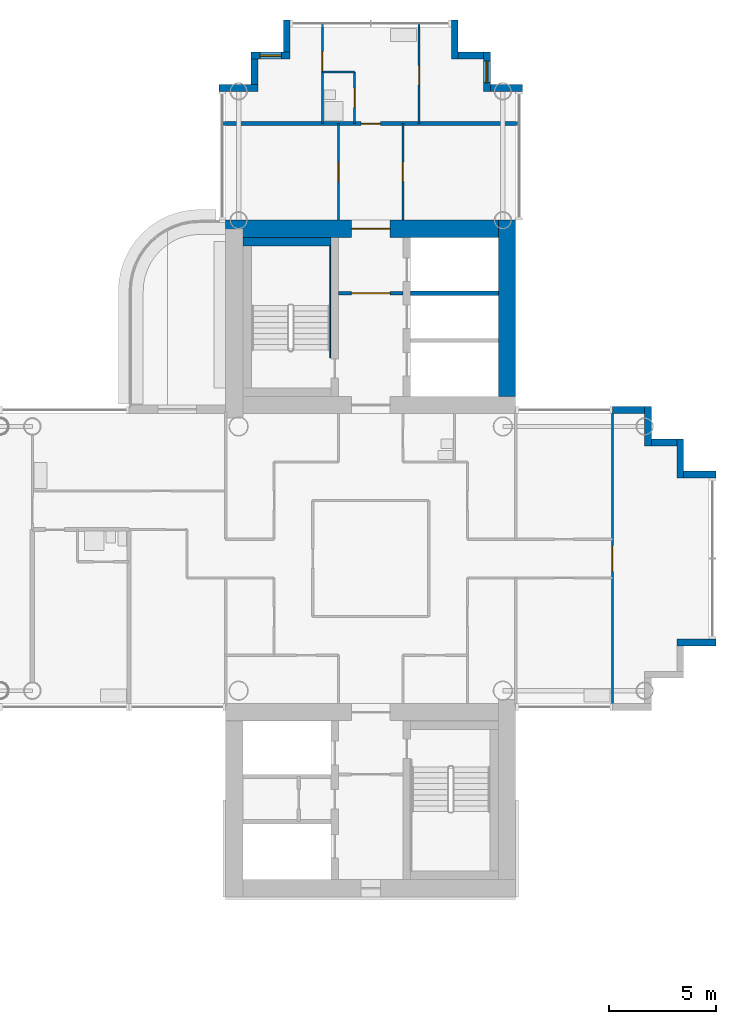
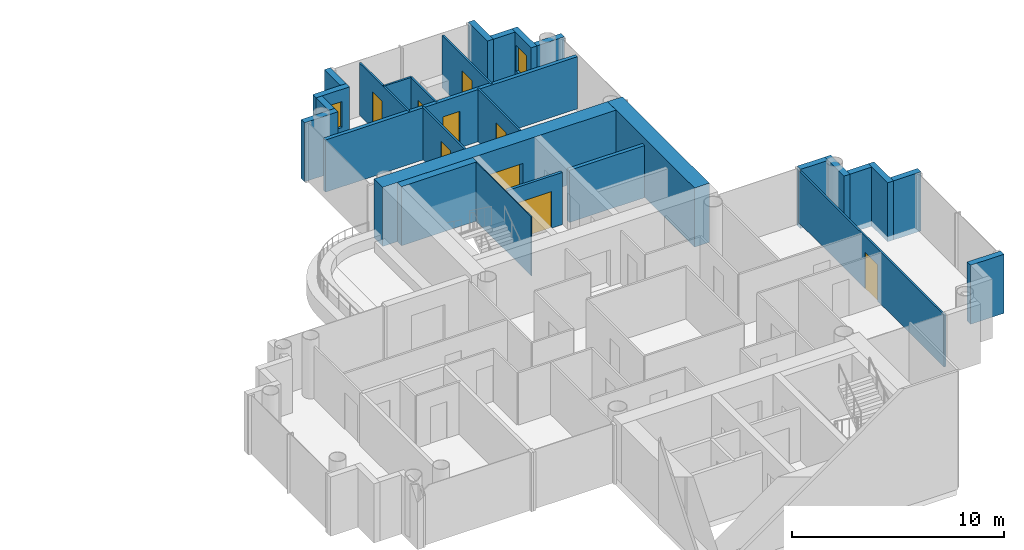
# One storey, part 12 of 19: 28 walls, 9 doors, 2 windows, 11 openings.
"""IFC4 building model written with IfcOpenShell, lengths in metres."""

from ifc_helpers import new_model, si_unit, direction, frame, frame_2d, origin, place, context, subcontext, project, spatial, rectangle, extrude, material, layer, layer_set, type_object, element, fill, save


model = new_model("IFC4")

# Units and contexts
model_context = context("Model", 3, precision=1e-05, world=origin(), true_north=direction((0.0, 1.0)))
body_context = subcontext(model_context, "Body", "Model", "MODEL_VIEW")
ifc_project = project(units=[si_unit("LENGTHUNIT", "METRE"), si_unit("AREAUNIT", "SQUARE_METRE"), si_unit("VOLUMEUNIT", "CUBIC_METRE"), si_unit("PLANEANGLEUNIT", "RADIAN"), si_unit("MASSUNIT", "GRAM", prefix="KILO")], contexts=[model_context])

# Site, building, storey
site_placement = place(None, origin())
site = spatial("IfcSite", under=ifc_project, at=site_placement, CompositionType="ELEMENT")
building_placement = place(site_placement, origin())
building = spatial("IfcBuilding", under=site, at=building_placement, Name="Ipe Terrace Towers", CompositionType="ELEMENT")
storey_placement = place(building_placement, frame((0.0, 0.0, 140.5)))
storey = spatial("IfcBuildingStorey", under=building, at=storey_placement, Name="L38", CompositionType="ELEMENT", Elevation=140.5)

# Walls
ifc_material_1 = material(Name="Concrete C40/50 with buff precast cladding", Category="concrete")
ifc_layer_1 = layer(ifc_material_1, 0.320068359375)
ifc_layer_set_1 = layer_set([ifc_layer_1], Name="BUFF CLADDING WALL 320")
wall_type_1 = type_object("IfcWallType", Name="BUFF CLADDING WALL 320", PredefinedType="STANDARD", material=ifc_layer_set_1)
wall_1_placement = place(storey_placement, frame((50.25, -3.909912109375, -0.300048828125), z_axis=(0.0, 0.0, 1.0), x_axis=(1.0, 0.0, 0.0)))
element("IfcWall", 1, at=wall_1_placement, inside=storey, type_object=wall_type_1, Name="T2-W-L38-07a wall", PredefinedType="STANDARD", context=body_context, shape_type="SweptSolid", body=[
    extrude(rectangle(XDim=1.820068359375, YDim=0.320068359375, at=frame_2d((0.91015625, 0.0))), origin(), (0.0, 0.0, 1.0), 3.400146484375),
])
wall_2_placement = place(storey_placement, frame((52.070068359375, 3.909912109375, -0.300048828125), z_axis=(0.0, 0.0, 1.0), x_axis=(-1.0, 0.0, 0.0)))
element("IfcWall", 2, at=wall_2_placement, inside=storey, type_object=wall_type_1, Name="T2-W-L38-09a wall", PredefinedType="STANDARD", context=body_context, shape_type="SweptSolid", body=[
    extrude(rectangle(XDim=1.5, YDim=0.320068359375, at=frame_2d((0.75, 0.0))), origin(), (0.0, 0.0, 1.0), 3.400146484375),
])
wall_3_placement = place(storey_placement, frame((50.409912109375, 3.75, -0.300048828125), z_axis=(0.0, 0.0, 1.0), x_axis=(0.0, 1.0, 0.0)))
element("IfcWall", 3, at=wall_3_placement, inside=storey, type_object=wall_type_1, Name="T2-W-L38-10a wall", PredefinedType="STANDARD", context=body_context, shape_type="SweptSolid", body=[
    extrude(rectangle(XDim=1.820068359375, YDim=0.320068359375, at=frame_2d((0.91015625, 0.0))), origin(), (0.0, 0.0, 1.0), 3.400146484375),
])
wall_4_placement = place(storey_placement, frame((50.25, 5.409912109375, -0.300048828125), z_axis=(0.0, 0.0, 1.0), x_axis=(-1.0, 0.0, 0.0)))
element("IfcWall", 4, at=wall_4_placement, inside=storey, type_object=wall_type_1, Name="T2-W-L38-11a wall", PredefinedType="STANDARD", context=body_context, shape_type="SweptSolid", body=[
    extrude(rectangle(XDim=1.179931640625, YDim=0.320068359375, at=frame_2d((0.58984375, 0.0))), origin(), (0.0, 0.0, 1.0), 3.400146484375),
])
wall_5_placement = place(storey_placement, frame((48.909912109375, 5.25, -0.300048828125), z_axis=(0.0, 0.0, 1.0), x_axis=(0.0, 1.0, 0.0)))
element("IfcWall", 5, at=wall_5_placement, inside=storey, type_object=wall_type_1, Name="T2-W-L38-12a wall", PredefinedType="STANDARD", context=body_context, shape_type="SweptSolid", body=[
    extrude(rectangle(XDim=1.820068359375, YDim=0.320068359375, at=frame_2d((0.91015625, 0.0))), origin(), (0.0, 0.0, 1.0), 3.400146484375),
])
for number, where, z_axis, x_axis, name in (
    (6, (48.75, 6.909912109375, -0.300048828125), (0.0, 0.0, 1.0), (-1.0, 0.0, 0.0), "T2-W-L38-13a wall"),
    (7, (43.070068359375, 21.909912109375, -0.300048828125), (0.0, 0.0, 1.0), (-1.0, 0.0, 0.0), "T2-W-L38-17a wall"),
):
    element("IfcWall", number, at=place(storey_placement, frame(where, z_axis=z_axis, x_axis=x_axis)), inside=storey, type_object=wall_type_1, Name=name, PredefinedType="STANDARD", context=body_context, shape_type="SweptSolid", body=[
        extrude(rectangle(XDim=1.5, YDim=0.320068359375, at=frame_2d((0.75, 0.0))), origin(), (0.0, 0.0, 1.0), 3.400146484375),
    ])

# Wall, opening, window
wall_6_placement = place(storey_placement, frame((41.409912109375, 21.75, -0.300048828125), z_axis=(0.0, 0.0, 1.0), x_axis=(0.0, 1.0, 0.0)))
wall_6 = element("IfcWall", 8, at=wall_6_placement, inside=storey, type_object=wall_type_1, Name="T2-W-L38-18a wall", PredefinedType="STANDARD", context=body_context, shape_type="SweptSolid", body=[
    extrude(rectangle(XDim=1.820068359375, YDim=0.320068359375, at=frame_2d((0.91015625, 0.0))), origin(), (0.0, 0.0, 1.0), 3.400146484375),
])
opening_1_placement = place(wall_6_placement, frame((0.409912109375, 0.0, 1.199951171875)))
opening_1 = element("IfcOpeningElement", 9, at=opening_1_placement, cuts=wall_6, Name="Opening T2-W-05-L38-02", PredefinedType="OPENING", context=body_context, shape_type="SweptSolid", body=[
    extrude(rectangle(XDim=1.0, YDim=1.5, at=frame_2d((0.5, 0.75))), frame((0.0, 0.169921875, 0.0), z_axis=(0.0, -1.0, 0.0), x_axis=(1.0, 0.0, 0.0)), (0.0, 0.0, 1.0), 0.340087890625),
])
ifc_material_2 = material(Name="Glass, clear laminated", Category="glass")
window_type = type_object("IfcWindowType", Name="DWELLING WINDOW 1000 x 1500", PartitioningType="SINGLE_PANEL", PredefinedType="WINDOW", material=ifc_material_2)
window_1_placement = place(opening_1_placement, origin())
window_1 = element("IfcWindow", 10, at=window_1_placement, inside=storey, type_object=window_type, Name="W-05 window", OverallHeight=1.5, OverallWidth=1.0, PartitioningType="SINGLE_PANEL", PredefinedType="WINDOW", context=body_context, shape_type="SweptSolid", body=[
    extrude(rectangle(XDim=1.0, YDim=1.5, at=frame_2d((0.5, 0.75))), frame((0.0, 0.030029296875, 0.0), z_axis=(0.0, -1.0, 0.0), x_axis=(1.0, 0.0, 0.0)), (0.0, 0.0, 1.0), 0.06005859375),
])
fill(opening_1, window_1)

# Walls
wall_7_placement = place(storey_placement, frame((41.25, 23.409912109375, -0.300048828125), z_axis=(0.0, 0.0, 1.0), x_axis=(-1.0, 0.0, 0.0)))
element("IfcWall", 11, at=wall_7_placement, inside=storey, type_object=wall_type_1, Name="T2-W-L38-19a wall", PredefinedType="STANDARD", context=body_context, shape_type="SweptSolid", body=[
    extrude(rectangle(XDim=1.179931640625, YDim=0.320068359375, at=frame_2d((0.58984375, 0.0))), origin(), (0.0, 0.0, 1.0), 3.400146484375),
])
wall_8_placement = place(storey_placement, frame((39.909912109375, 23.25, -0.300048828125), z_axis=(0.0, 0.0, 1.0), x_axis=(0.0, 1.0, 0.0)))
element("IfcWall", 12, at=wall_8_placement, inside=storey, type_object=wall_type_1, Name="T2-W-L38-20a wall", PredefinedType="STANDARD", context=body_context, shape_type="SweptSolid", body=[
    extrude(rectangle(XDim=1.820068359375, YDim=0.320068359375, at=frame_2d((0.91015625, 0.0))), origin(), (0.0, 0.0, 1.0), 3.400146484375),
])
wall_9_placement = place(storey_placement, frame((32.090087890625, 25.070068359375, -0.300048828125), z_axis=(0.0, 0.0, 1.0), x_axis=(0.0, -1.0, 0.0)))
element("IfcWall", 13, at=wall_9_placement, inside=storey, type_object=wall_type_1, Name="T2-W-L38-22a wall", PredefinedType="STANDARD", context=body_context, shape_type="SweptSolid", body=[
    extrude(rectangle(XDim=1.5, YDim=0.320068359375, at=frame_2d((0.75, 0.0))), origin(), (0.0, 0.0, 1.0), 3.400146484375),
])

# Wall, opening, window
wall_10_placement = place(storey_placement, frame((32.25, 23.409912109375, -0.300048828125), z_axis=(0.0, 0.0, 1.0), x_axis=(-1.0, 0.0, 0.0)))
wall_10 = element("IfcWall", 14, at=wall_10_placement, inside=storey, type_object=wall_type_1, Name="T2-W-L38-23a wall", PredefinedType="STANDARD", context=body_context, shape_type="SweptSolid", body=[
    extrude(rectangle(XDim=1.820068359375, YDim=0.320068359375, at=frame_2d((0.91015625, 0.0))), origin(), (0.0, 0.0, 1.0), 3.400146484375),
])
opening_2_placement = place(wall_10_placement, frame((0.409912109375, 0.0, 1.199951171875)))
opening_2 = element("IfcOpeningElement", 15, at=opening_2_placement, cuts=wall_10, Name="Opening T2-W-05-L38-01", PredefinedType="OPENING", context=body_context, shape_type="SweptSolid", body=[
    extrude(rectangle(XDim=1.0, YDim=1.5, at=frame_2d((0.5, 0.75))), frame((0.0, 0.169921875, 0.0), z_axis=(0.0, -1.0, 0.0), x_axis=(1.0, 0.0, 0.0)), (0.0, 0.0, 1.0), 0.340087890625),
])
window_2_placement = place(opening_2_placement, origin())
window_2 = element("IfcWindow", 16, at=window_2_placement, inside=storey, type_object=window_type, Name="W-05 window", OverallHeight=1.5, OverallWidth=1.0, PartitioningType="SINGLE_PANEL", PredefinedType="WINDOW", context=body_context, shape_type="SweptSolid", body=[
    extrude(rectangle(XDim=1.0, YDim=1.5, at=frame_2d((0.5, 0.75))), frame((0.0, 0.030029296875, 0.0), z_axis=(0.0, -1.0, 0.0), x_axis=(1.0, 0.0, 0.0)), (0.0, 0.0, 1.0), 0.06005859375),
])
fill(opening_2, window_2)

# Walls
wall_11_placement = place(storey_placement, frame((30.590087890625, 23.25, -0.300048828125), z_axis=(0.0, 0.0, 1.0), x_axis=(0.0, -1.0, 0.0)))
element("IfcWall", 17, at=wall_11_placement, inside=storey, type_object=wall_type_1, Name="T2-W-L38-24a wall", PredefinedType="STANDARD", context=body_context, shape_type="SweptSolid", body=[
    extrude(rectangle(XDim=1.179931640625, YDim=0.320068359375, at=frame_2d((0.58984375, 0.0))), origin(), (0.0, 0.0, 1.0), 3.400146484375),
])
wall_12_placement = place(storey_placement, frame((30.75, 21.909912109375, -0.300048828125), z_axis=(0.0, 0.0, 1.0), x_axis=(-1.0, 0.0, 0.0)))
element("IfcWall", 18, at=wall_12_placement, inside=storey, type_object=wall_type_1, Name="T2-W-L38-25a wall", PredefinedType="STANDARD", context=body_context, shape_type="SweptSolid", body=[
    extrude(rectangle(XDim=1.820068359375, YDim=0.320068359375, at=frame_2d((0.91015625, 0.0))), origin(), (0.0, 0.0, 1.0), 3.400146484375),
])
ifc_material_3 = material(Name="Gypsum board partition", Category="plasterboard")
ifc_layer_2 = layer(ifc_material_3, 0.10009765625)
ifc_layer_set_2 = layer_set([ifc_layer_2], Name="Gypsum board partition 100 mm")
wall_type_2 = type_object("IfcWallType", Name="Gypsum board partition 100 mm", PredefinedType="PARTITIONING", material=ifc_layer_set_2)
wall_13_placement = place(storey_placement, frame((35.25, 22.64990234375, 0.0), z_axis=(0.0, 0.0, 1.0), x_axis=(-1.0, 0.0, 0.0)))
element("IfcWall", 19, at=wall_13_placement, inside=storey, type_object=wall_type_2, Name="Gypsum board partition T2 L38 W16", PredefinedType="PARTITIONING", context=body_context, shape_type="SweptSolid", body=[
    extrude(rectangle(XDim=1.5, YDim=0.10009765625, at=frame_2d((0.75, 0.0))), origin(), (0.0, 0.0, 1.0), 3.0),
])

# Wall, opening, door
wall_14_placement = place(storey_placement, frame((47.25, -6.85009765625, 0.0), z_axis=(0.0, 0.0, 1.0), x_axis=(0.0, 1.0, 0.0)))
wall_14 = element("IfcWall", 20, at=wall_14_placement, inside=storey, type_object=wall_type_2, Name="Gypsum board partition T2 L38 W17", PredefinedType="PARTITIONING", context=body_context, shape_type="SweptSolid", body=[
    extrude(rectangle(XDim=13.7001953125, YDim=0.10009765625, at=frame_2d((6.85009765625, 0.0))), origin(), (0.0, 0.0, 1.0), 3.0),
])
opening_3_placement = place(wall_14_placement, frame((6.25, 0.0, 0.0)))
opening_3 = element("IfcOpeningElement", 21, at=opening_3_placement, cuts=wall_14, Name="Opening T2-Z3A-16", PredefinedType="OPENING", context=body_context, shape_type="SweptSolid", body=[
    extrude(rectangle(XDim=1.199951171875, YDim=2.10009765625, at=frame_2d((0.60009765625, 1.050048828125))), frame((0.0, 0.06005859375, 0.0), z_axis=(0.0, -1.0, 0.0), x_axis=(1.0, 0.0, 0.0)), (0.0, 0.0, 1.0), 0.1201171875),
])
ifc_material_4 = material(Name="Timber door leaf", Category="wood")
door_type_1 = type_object("IfcDoorType", Name="Lounge door 1200 x 2100", OperationType="NOTDEFINED", PredefinedType="DOOR", material=ifc_material_4)
door_1_placement = place(opening_3_placement, origin())
door_1 = element("IfcDoor", 22, at=door_1_placement, inside=storey, type_object=door_type_1, Name="Lounge door T2-Z3A-16", OperationType="SINGLE_SWING_RIGHT", OverallHeight=2.10009765625, OverallWidth=1.199951171875, PredefinedType="DOOR", context=body_context, shape_type="SweptSolid", body=[
    extrude(rectangle(XDim=1.199951171875, YDim=2.10009765625, at=frame_2d((0.60009765625, 1.050048828125))), frame((0.0, 0.02490234375, 0.0), z_axis=(0.0, -1.0, 0.0), x_axis=(1.0, 0.0, 0.0)), (0.0, 0.0, 1.0), 0.050048828125),
])
fill(opening_3, door_1)

wall_15_placement = place(storey_placement, frame((38.25, 20.25, 0.0), z_axis=(0.0, 0.0, 1.0), x_axis=(0.0, 1.0, 0.0)))
wall_15 = element("IfcWall", 23, at=wall_15_placement, inside=storey, type_object=wall_type_2, Name="Gypsum board partition T2 L38 W24", PredefinedType="PARTITIONING", context=body_context, shape_type="SweptSolid", body=[
    extrude(rectangle(XDim=4.60009765625, YDim=0.10009765625, at=frame_2d((2.300048828125, 0.0))), origin(), (0.0, 0.0, 1.0), 3.0),
])
opening_4_placement = place(wall_15_placement, frame((1.800048828125, 0.0, 0.0)))
opening_4 = element("IfcOpeningElement", 24, at=opening_4_placement, cuts=wall_15, Name="Opening T2-Z3A-22", PredefinedType="OPENING", context=body_context, shape_type="SweptSolid", body=[
    extrude(rectangle(XDim=0.89990234375, YDim=2.10009765625, at=frame_2d((0.449951171875, 1.050048828125))), frame((0.0, 0.06005859375, 0.0), z_axis=(0.0, -1.0, 0.0), x_axis=(1.0, 0.0, 0.0)), (0.0, 0.0, 1.0), 0.1201171875),
])
ifc_material_5 = material(Name="Timber door leaf", Category="wood")
door_type_2 = type_object("IfcDoorType", Name="Bedroom door 900 x 2100", OperationType="NOTDEFINED", PredefinedType="DOOR", material=ifc_material_5)
door_2_placement = place(opening_4_placement, origin())
door_2 = element("IfcDoor", 25, at=door_2_placement, inside=storey, type_object=door_type_2, Name="Bedroom door T2-Z3A-22", OperationType="SINGLE_SWING_LEFT", OverallHeight=2.10009765625, OverallWidth=0.89990234375, PredefinedType="DOOR", context=body_context, shape_type="SweptSolid", body=[
    extrude(rectangle(XDim=0.89990234375, YDim=2.10009765625, at=frame_2d((0.449951171875, 1.050048828125))), frame((0.0, 0.02490234375, 0.0), z_axis=(0.0, -1.0, 0.0), x_axis=(1.0, 0.0, 0.0)), (0.0, 0.0, 1.0), 0.050048828125),
])
fill(opening_4, door_2)

wall_16_placement = place(storey_placement, frame((37.5, 15.75, 0.0), z_axis=(0.0, 0.0, 1.0), x_axis=(0.0, 1.0, 0.0)))
wall_16 = element("IfcWall", 26, at=wall_16_placement, inside=storey, type_object=wall_type_2, Name="Gypsum board partition T2 L38 W27", PredefinedType="PARTITIONING", context=body_context, shape_type="SweptSolid", body=[
    extrude(rectangle(XDim=4.5, YDim=0.10009765625, at=frame_2d((2.25, 0.0))), origin(), (0.0, 0.0, 1.0), 3.0),
])
opening_5_placement = place(wall_16_placement, frame((1.800048828125, 0.0, 0.0)))
opening_5 = element("IfcOpeningElement", 27, at=opening_5_placement, cuts=wall_16, Name="Opening T2-Z3A-18", PredefinedType="OPENING", context=body_context, shape_type="SweptSolid", body=[
    extrude(rectangle(XDim=0.89990234375, YDim=2.10009765625, at=frame_2d((0.449951171875, 1.050048828125))), frame((0.0, 0.06005859375, 0.0), z_axis=(0.0, -1.0, 0.0), x_axis=(1.0, 0.0, 0.0)), (0.0, 0.0, 1.0), 0.1201171875),
])
ifc_material_6 = material(Name="Timber door leaf", Category="wood")
door_type_3 = type_object("IfcDoorType", Name="Lounge door 900 x 2100", OperationType="NOTDEFINED", PredefinedType="DOOR", material=ifc_material_6)
door_3_placement = place(opening_5_placement, origin())
door_3 = element("IfcDoor", 28, at=door_3_placement, inside=storey, type_object=door_type_3, Name="Lounge door T2-Z3A-18", OperationType="SINGLE_SWING_RIGHT", OverallHeight=2.10009765625, OverallWidth=0.89990234375, PredefinedType="DOOR", context=body_context, shape_type="SweptSolid", body=[
    extrude(rectangle(XDim=0.89990234375, YDim=2.10009765625, at=frame_2d((0.449951171875, 1.050048828125))), frame((0.0, 0.02490234375, 0.0), z_axis=(0.0, -1.0, 0.0), x_axis=(1.0, 0.0, 0.0)), (0.0, 0.0, 1.0), 0.050048828125),
])
fill(opening_5, door_3)

wall_17_placement = place(storey_placement, frame((35.25, 20.25, 0.0), z_axis=(0.0, 0.0, 1.0), x_axis=(0.0, 1.0, 0.0)))
wall_17 = element("IfcWall", 29, at=wall_17_placement, inside=storey, type_object=wall_type_2, Name="Gypsum board partition T2 L38 W28", PredefinedType="PARTITIONING", context=body_context, shape_type="SweptSolid", body=[
    extrude(rectangle(XDim=2.39990234375, YDim=0.10009765625, at=frame_2d((1.199951171875, 0.0))), origin(), (0.0, 0.0, 1.0), 3.0),
])
opening_6_placement = place(wall_17_placement, frame((0.75, 0.0, 0.0)))
opening_6 = element("IfcOpeningElement", 30, at=opening_6_placement, cuts=wall_17, Name="Opening T2-Z3A-19", PredefinedType="OPENING", context=body_context, shape_type="SweptSolid", body=[
    extrude(rectangle(XDim=0.89990234375, YDim=2.10009765625, at=frame_2d((0.449951171875, 1.050048828125))), frame((0.0, 0.06005859375, 0.0), z_axis=(0.0, -1.0, 0.0), x_axis=(1.0, 0.0, 0.0)), (0.0, 0.0, 1.0), 0.1201171875),
])
ifc_material_7 = material(Name="Timber door leaf", Category="wood")
door_type_4 = type_object("IfcDoorType", Name="Bathroom door 900 x 2100", OperationType="NOTDEFINED", PredefinedType="DOOR", material=ifc_material_7)
door_4_placement = place(opening_6_placement, origin())
door_4 = element("IfcDoor", 31, at=door_4_placement, inside=storey, type_object=door_type_4, Name="Bathroom door T2-Z3A-19", OperationType="SINGLE_SWING_LEFT", OverallHeight=2.10009765625, OverallWidth=0.89990234375, PredefinedType="DOOR", context=body_context, shape_type="SweptSolid", body=[
    extrude(rectangle(XDim=0.89990234375, YDim=2.10009765625, at=frame_2d((0.449951171875, 1.050048828125))), frame((0.0, 0.02490234375, 0.0), z_axis=(0.0, -1.0, 0.0), x_axis=(1.0, 0.0, 0.0)), (0.0, 0.0, 1.0), 0.050048828125),
])
fill(opening_6, door_4)

wall_18_placement = place(storey_placement, frame((34.5, 15.75, 0.0), z_axis=(0.0, 0.0, 1.0), x_axis=(0.0, 1.0, 0.0)))
wall_18 = element("IfcWall", 32, at=wall_18_placement, inside=storey, type_object=wall_type_2, Name="Gypsum board partition T2 L38 W31", PredefinedType="PARTITIONING", context=body_context, shape_type="SweptSolid", body=[
    extrude(rectangle(XDim=4.5, YDim=0.10009765625, at=frame_2d((2.25, 0.0))), origin(), (0.0, 0.0, 1.0), 3.0),
])
opening_7_placement = place(wall_18_placement, frame((1.800048828125, 0.0, 0.0)))
opening_7 = element("IfcOpeningElement", 33, at=opening_7_placement, cuts=wall_18, Name="Opening T2-Z3A-17", PredefinedType="OPENING", context=body_context, shape_type="SweptSolid", body=[
    extrude(rectangle(XDim=0.89990234375, YDim=2.10009765625, at=frame_2d((0.449951171875, 1.050048828125))), frame((0.0, 0.06005859375, 0.0), z_axis=(0.0, -1.0, 0.0), x_axis=(1.0, 0.0, 0.0)), (0.0, 0.0, 1.0), 0.1201171875),
])
door_5_placement = place(opening_7_placement, origin())
door_5 = element("IfcDoor", 34, at=door_5_placement, inside=storey, type_object=door_type_3, Name="Lounge door T2-Z3A-17", OperationType="SINGLE_SWING_LEFT", OverallHeight=2.10009765625, OverallWidth=0.89990234375, PredefinedType="DOOR", context=body_context, shape_type="SweptSolid", body=[
    extrude(rectangle(XDim=0.89990234375, YDim=2.10009765625, at=frame_2d((0.449951171875, 1.050048828125))), frame((0.0, 0.02490234375, 0.0), z_axis=(0.0, -1.0, 0.0), x_axis=(1.0, 0.0, 0.0)), (0.0, 0.0, 1.0), 0.050048828125),
])
fill(opening_7, door_5)

wall_19_placement = place(storey_placement, frame((33.75, 20.25, 0.0), z_axis=(0.0, 0.0, 1.0), x_axis=(0.0, 1.0, 0.0)))
wall_19 = element("IfcWall", 35, at=wall_19_placement, inside=storey, type_object=wall_type_2, Name="Gypsum board partition T2 L38 W32", PredefinedType="PARTITIONING", context=body_context, shape_type="SweptSolid", body=[
    extrude(rectangle(XDim=4.60009765625, YDim=0.10009765625, at=frame_2d((2.300048828125, 0.0))), origin(), (0.0, 0.0, 1.0), 3.0),
])
opening_8_placement = place(wall_19_placement, frame((2.449951171875, 0.0, 0.0)))
opening_8 = element("IfcOpeningElement", 36, at=opening_8_placement, cuts=wall_19, Name="Opening T2-Z3A-21", PredefinedType="OPENING", context=body_context, shape_type="SweptSolid", body=[
    extrude(rectangle(XDim=0.89990234375, YDim=2.10009765625, at=frame_2d((0.449951171875, 1.050048828125))), frame((0.0, 0.06005859375, 0.0), z_axis=(0.0, -1.0, 0.0), x_axis=(1.0, 0.0, 0.0)), (0.0, 0.0, 1.0), 0.1201171875),
])
door_6_placement = place(opening_8_placement, origin())
door_6 = element("IfcDoor", 37, at=door_6_placement, inside=storey, type_object=door_type_2, Name="Bedroom door T2-Z3A-21", OperationType="SINGLE_SWING_LEFT", OverallHeight=2.10009765625, OverallWidth=0.89990234375, PredefinedType="DOOR", context=body_context, shape_type="SweptSolid", body=[
    extrude(rectangle(XDim=0.89990234375, YDim=2.10009765625, at=frame_2d((0.449951171875, 1.050048828125))), frame((0.0, 0.02490234375, 0.0), z_axis=(0.0, -1.0, 0.0), x_axis=(1.0, 0.0, 0.0)), (0.0, 0.0, 1.0), 0.050048828125),
])
fill(opening_8, door_6)

ifc_material_8 = material(Name="Gypsum board partition", Category="plasterboard")
ifc_layer_3 = layer(ifc_material_8, 0.14990234375)
ifc_layer_set_3 = layer_set([ifc_layer_3], Name="Gypsum board partition 150 mm")
wall_type_3 = type_object("IfcWallType", Name="Gypsum board partition 150 mm", PredefinedType="PARTITIONING", material=ifc_layer_set_3)
wall_20_placement = place(storey_placement, frame((37.5, 12.35009765625, 0.0), z_axis=(0.0, 0.0, 1.0), x_axis=(-1.0, 0.0, 0.0)))
wall_20 = element("IfcWall", 38, at=wall_20_placement, inside=storey, type_object=wall_type_3, Name="Gypsum board partition T2 L38 t2c1-lobby-wall", PredefinedType="PARTITIONING", context=body_context, shape_type="SweptSolid", body=[
    extrude(rectangle(XDim=3.0, YDim=0.14990234375, at=frame_2d((1.5, 0.0))), origin(), (0.0, 0.0, 1.0), 3.0),
])
opening_9_placement = place(wall_20_placement, frame((0.60009765625, 0.0, 0.0)))
opening_9 = element("IfcOpeningElement", 39, at=opening_9_placement, cuts=wall_20, Name="Opening T2C1-VD", PredefinedType="OPENING", context=body_context, shape_type="SweptSolid", body=[
    extrude(rectangle(XDim=1.800048828125, YDim=2.10009765625, at=frame_2d((0.89990234375, 1.050048828125))), frame((0.0, 0.0849609375, 0.0), z_axis=(0.0, -1.0, 0.0), x_axis=(1.0, 0.0, 0.0)), (0.0, 0.0, 1.0), 0.169921875),
])
ifc_material_9 = material(Name="Fire-rated timber door leaf", Category="wood")
door_type_5 = type_object("IfcDoorType", Name="Lobby door 1800 x 2100 FD60", OperationType="NOTDEFINED", PredefinedType="DOOR", material=ifc_material_9)
door_7_placement = place(opening_9_placement, origin())
door_7 = element("IfcDoor", 40, at=door_7_placement, inside=storey, type_object=door_type_5, Name="Lobby door T2C1-VD", OperationType="SINGLE_SWING_LEFT", OverallHeight=2.10009765625, OverallWidth=1.800048828125, PredefinedType="DOOR", context=body_context, shape_type="SweptSolid", body=[
    extrude(rectangle(XDim=1.800048828125, YDim=2.10009765625, at=frame_2d((0.89990234375, 1.050048828125))), frame((0.0, 0.02490234375, 0.0), z_axis=(0.0, -1.0, 0.0), x_axis=(1.0, 0.0, 0.0)), (0.0, 0.0, 1.0), 0.050048828125),
])
fill(opening_9, door_7)

# Wall
ifc_material_10 = material(Name="Gypsum board party wall", Category="plasterboard")
ifc_layer_4 = layer(ifc_material_10, 0.199951171875)
ifc_layer_set_4 = layer_set([ifc_layer_4], Name="Gypsum board party wall 200 mm")
wall_type_4 = type_object("IfcWallType", Name="Gypsum board party wall 200 mm", PredefinedType="SOLIDWALL", material=ifc_layer_set_4)
wall_21_placement = place(storey_placement, frame((41.949951171875, 12.35009765625, 0.0), z_axis=(0.0, 0.0, 1.0), x_axis=(-1.0, 0.0, 0.0)))
element("IfcWall", 41, at=wall_21_placement, inside=storey, type_object=wall_type_4, Name="Gypsum board party wall T2 L38 t2c1-shaft-div2", PredefinedType="SOLIDWALL", context=body_context, shape_type="SweptSolid", body=[
    extrude(rectangle(XDim=4.099853515625, YDim=0.199951171875, at=frame_2d((2.0498046875, 0.0))), origin(), (0.0, 0.0, 1.0), 3.0),
])

# Wall, opening, door
wall_22_placement = place(storey_placement, frame((42.85009765625, 20.25, 0.0), z_axis=(0.0, 0.0, 1.0), x_axis=(-1.0, 0.0, 0.0)))
wall_22 = element("IfcWall", 42, at=wall_22_placement, inside=storey, type_object=wall_type_4, Name="Gypsum board party wall T2 L38 W15", PredefinedType="SOLIDWALL", context=body_context, shape_type="SweptSolid", body=[
    extrude(rectangle(XDim=13.7001953125, YDim=0.199951171875, at=frame_2d((6.85009765625, 0.0))), origin(), (0.0, 0.0, 1.0), 3.0),
])
opening_10_placement = place(wall_22_placement, frame((6.39990234375, 0.0, 0.0)))
opening_10 = element("IfcOpeningElement", 43, at=opening_10_placement, cuts=wall_22, Name="Opening T2-Z3A-20", PredefinedType="OPENING", context=body_context, shape_type="SweptSolid", body=[
    extrude(rectangle(XDim=0.89990234375, YDim=2.10009765625, at=frame_2d((0.449951171875, 1.050048828125))), frame((0.0, 0.10986328125, 0.0), z_axis=(0.0, -1.0, 0.0), x_axis=(1.0, 0.0, 0.0)), (0.0, 0.0, 1.0), 0.219970703125),
])
ifc_material_11 = material(Name="Fire-rated timber door leaf", Category="wood")
door_type_6 = type_object("IfcDoorType", Name="Flat entrance door 900 x 2100 FD30S", OperationType="NOTDEFINED", PredefinedType="DOOR", material=ifc_material_11)
door_8_placement = place(opening_10_placement, origin())
door_8 = element("IfcDoor", 44, at=door_8_placement, inside=storey, type_object=door_type_6, Name="Flat entrance door T2-Z3A-20", OperationType="SINGLE_SWING_RIGHT", OverallHeight=2.10009765625, OverallWidth=0.89990234375, PredefinedType="DOOR", context=body_context, shape_type="SweptSolid", body=[
    extrude(rectangle(XDim=0.89990234375, YDim=2.10009765625, at=frame_2d((0.449951171875, 1.050048828125))), frame((0.0, 0.02490234375, 0.0), z_axis=(0.0, -1.0, 0.0), x_axis=(1.0, 0.0, 0.0)), (0.0, 0.0, 1.0), 0.050048828125),
])
fill(opening_10, door_8)

# Walls
ifc_material_12 = material(Name="Concrete C50/60", Category="concrete")
ifc_layer_5 = layer(ifc_material_12, 0.39990234375)
ifc_layer_set_5 = layer_set([ifc_layer_5], Name="RW400 CORE INFILL WALL 400 C50-60")
wall_type_5 = type_object("IfcWallType", Name="RW400 CORE INFILL WALL 400 C50-60", PredefinedType="SHEAR", material=ifc_layer_set_5)
wall_23_placement = place(storey_placement, frame((34.14990234375, 14.75, 0.0), z_axis=(0.0, 0.0, 1.0), x_axis=(-1.0, 0.0, 0.0)))
element("IfcWall", 45, at=wall_23_placement, inside=storey, type_object=wall_type_5, Name="Core infill wall T2-C1-far", PredefinedType="SHEAR", context=body_context, shape_type="SweptSolid", body=[
    extrude(rectangle(XDim=4.099853515625, YDim=0.39990234375, at=frame_2d((2.0498046875, 0.0))), origin(), (0.0, 0.0, 1.0), 3.39990234375),
])
ifc_material_13 = material(Name="Concrete C50/60", Category="concrete")
ifc_layer_6 = layer(ifc_material_13, 0.050048828125)
ifc_layer_set_6 = layer_set([ifc_layer_6], Name="RW50 CORE INFILL WALL 50 C50-60")
wall_type_6 = type_object("IfcWallType", Name="RW50 CORE INFILL WALL 50 C50-60", PredefinedType="SHEAR", material=ifc_layer_set_6)
wall_24_placement = place(storey_placement, frame((34.125, 9.35009765625, 0.0), z_axis=(0.0, 0.0, 1.0), x_axis=(0.0, 1.0, 0.0)))
element("IfcWall", 46, at=wall_24_placement, inside=storey, type_object=wall_type_6, Name="Core infill wall T2-C1-spine-b", PredefinedType="SHEAR", context=body_context, shape_type="SweptSolid", body=[
    extrude(rectangle(XDim=5.199951171875, YDim=0.050048828125, at=frame_2d((2.60009765625, 0.0))), origin(), (0.0, 0.0, 1.0), 3.39990234375),
])
ifc_material_14 = material(Name="Concrete C50/60", Category="concrete")
ifc_layer_7 = layer(ifc_material_14, 0.800048828125)
ifc_layer_set_7 = layer_set([ifc_layer_7], Name="RW800 CORE WALL 800 C50-60")
wall_type_7 = type_object("IfcWallType", Name="RW800 CORE WALL 800 C50-60", PredefinedType="SHEAR", material=ifc_layer_set_7)
wall_25_placement = place(storey_placement, frame((42.35009765625, 7.550048828125, 0.0), z_axis=(0.0, 0.0, 1.0), x_axis=(0.0, 1.0, 0.0)))
element("IfcWall", 47, at=wall_25_placement, inside=storey, type_object=wall_type_7, Name="Core wall T2-C1-Z3-W02", PredefinedType="SHEAR", context=body_context, shape_type="SweptSolid", body=[
    extrude(rectangle(XDim=8.199951171875, YDim=0.800048828125, at=frame_2d((4.10009765625, 0.0))), origin(), (0.0, 0.0, 1.0), 3.39990234375),
])

# Wall, opening, door
wall_26_placement = place(storey_placement, frame((41.949951171875, 15.35009765625, 0.0), z_axis=(0.0, 0.0, 1.0), x_axis=(-1.0, 0.0, 0.0)))
wall_26 = element("IfcWall", 48, at=wall_26_placement, inside=storey, type_object=wall_type_7, Name="Core wall T2-C1-Z3-W03", PredefinedType="SHEAR", context=body_context, shape_type="SweptSolid", body=[
    extrude(rectangle(XDim=12.699951171875, YDim=0.800048828125, at=frame_2d((6.35009765625, 0.0))), origin(), (0.0, 0.0, 1.0), 3.39990234375),
])
opening_11_placement = place(wall_26_placement, frame((5.050048828125, 0.0, 0.0)))
opening_11 = element("IfcOpeningElement", 49, at=opening_11_placement, cuts=wall_26, Name="Opening T2C1-FD", PredefinedType="OPENING", context=body_context, shape_type="SweptSolid", body=[
    extrude(rectangle(XDim=1.800048828125, YDim=2.10009765625, at=frame_2d((0.89990234375, 1.050048828125))), frame((0.0, 0.41015625, 0.0), z_axis=(0.0, -1.0, 0.0), x_axis=(1.0, 0.0, 0.0)), (0.0, 0.0, 1.0), 0.820068359375),
])
ifc_material_15 = material(Name="Fire-rated timber door leaf", Category="wood")
door_type_7 = type_object("IfcDoorType", Name="Fire door 1800 x 2100 FD30S", OperationType="NOTDEFINED", PredefinedType="DOOR", material=ifc_material_15)
door_9_placement = place(opening_11_placement, origin())
door_9 = element("IfcDoor", 50, at=door_9_placement, inside=storey, type_object=door_type_7, Name="Fire door T2C1-FD", OperationType="SINGLE_SWING_LEFT", OverallHeight=2.10009765625, OverallWidth=1.800048828125, PredefinedType="DOOR", context=body_context, shape_type="SweptSolid", body=[
    extrude(rectangle(XDim=1.800048828125, YDim=2.10009765625, at=frame_2d((0.89990234375, 1.050048828125))), frame((0.0, 0.02490234375, 0.0), z_axis=(0.0, -1.0, 0.0), x_axis=(1.0, 0.0, 0.0)), (0.0, 0.0, 1.0), 0.050048828125),
])
fill(opening_11, door_9)

save(model, "model.ifc")
